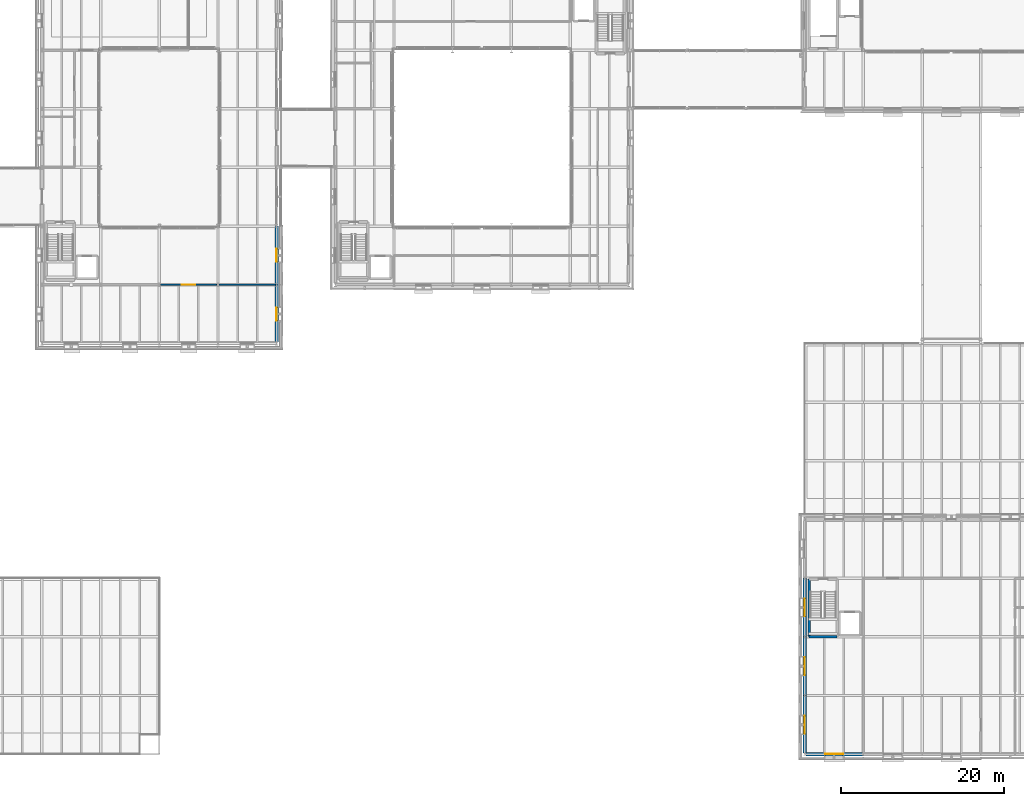
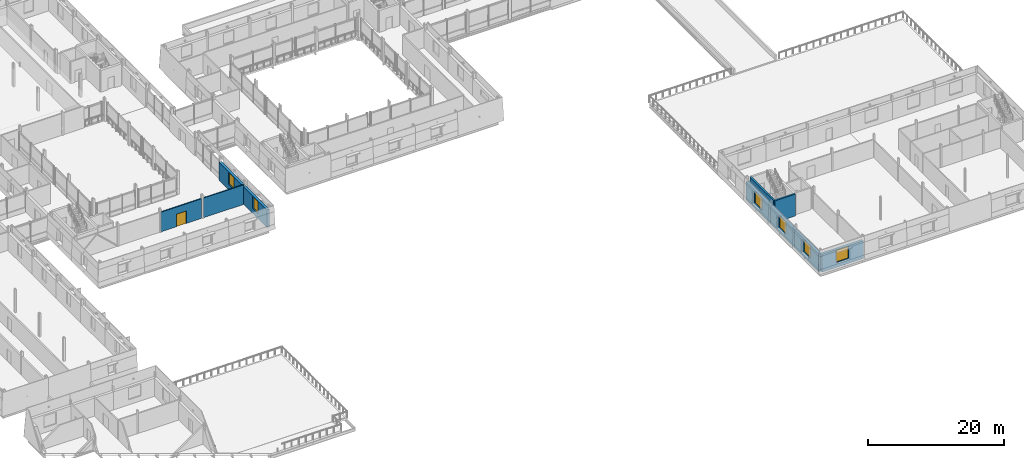
# One storey, part 68 of 115: 10 walls, 6 windows, 1 door, 7 openings.
"""IFC4 building model written with IfcOpenShell, lengths in metres."""

from ifc_helpers import new_model, si_unit, direction, frame, frame_2d, origin, place, context, subcontext, project, spatial, rectangle, extrude, material, layer, layer_set, type_object, element, fill, save


model = new_model("IFC4")

# Units and contexts
model_context = context("Model", 3, precision=1e-05, world=origin(), true_north=direction((0.0, 1.0)))
body_context = subcontext(model_context, "Body", "Model", "MODEL_VIEW")
ifc_project = project(units=[si_unit("LENGTHUNIT", "METRE"), si_unit("AREAUNIT", "SQUARE_METRE"), si_unit("VOLUMEUNIT", "CUBIC_METRE"), si_unit("PLANEANGLEUNIT", "RADIAN"), si_unit("MASSUNIT", "GRAM", prefix="KILO")], contexts=[model_context])

# Site, building, storey
site_placement = place(None, origin())
site = spatial("IfcSite", under=ifc_project, at=site_placement, CompositionType="ELEMENT")
building_placement = place(site_placement, origin())
building = spatial("IfcBuilding", under=site, at=building_placement, Name="Narikvali Park Central Library", CompositionType="ELEMENT")
storey_placement = place(building_placement, frame((0.0, 0.0, 10.199951171875)))
storey = spatial("IfcBuildingStorey", under=building, at=storey_placement, Name="L02", CompositionType="ELEMENT", Elevation=10.199951171875)

# Wall, opening, door
ifc_material_1 = material(Name="Acoustic Gypsum on Steel Studs", Category="steel")
ifc_layer_1 = layer(ifc_material_1, 0.179931640625, Name="Acoustic Gypsum on Steel Studs")
ifc_layer_set_1 = layer_set([ifc_layer_1], Name="Acoustic Gypsum on Steel Studs")
wall_type_1 = type_object("IfcWallType", Name="Reading Room Acoustic Partition 180", PredefinedType="PARTITIONING", material=ifc_layer_set_1)
wall_1_placement = place(storey_placement, frame((43.35400390625, 57.60009765625, 0.0), z_axis=(0.0, 0.0, 1.0), x_axis=(1.0, 0.0, 0.0)))
wall_1 = element("IfcWall", 1, at=wall_1_placement, inside=storey, type_object=wall_type_1, Name="Atrium Park-View Reading Room L02 Partition N", PredefinedType="PARTITIONING", context=body_context, shape_type="SweptSolid", body=[
    extrude(rectangle(XDim=6.89208984375, YDim=0.179931640625, at=frame_2d((3.446044921875, 0.0))), origin(), (0.0, 0.0, 1.0), 3.53515625),
])
opening_1_placement = place(wall_1_placement, frame((2.62109375, 0.0, 0.0)))
opening_1 = element("IfcOpeningElement", 2, at=opening_1_placement, cuts=wall_1, Name="Opening ID-0097", PredefinedType="OPENING", context=body_context, shape_type="SweptSolid", body=[
    extrude(rectangle(XDim=1.64990234375, YDim=2.25, at=frame_2d((0.824951171875, 1.125))), frame((0.0, 0.10205078125, 0.0), z_axis=(0.0, -1.0, 0.0), x_axis=(1.0, 0.0, 0.0)), (0.0, 0.0, 1.0), 0.203857421875),
])
ifc_material_2 = material(Name="Caucasian Oak and Tempered Glass", Category="glass")
door_type = type_object("IfcDoorType", Name="Open Stacks Double Glazed Door 1650x2250", OperationType="DOUBLE_DOOR_SINGLE_SWING", PredefinedType="DOOR", material=ifc_material_2)
door_placement = place(opening_1_placement, frame((1.64990234375, 0.0, 0.0), z_axis=(0.0, 0.0, 1.0), x_axis=(-1.0, 0.0, 0.0)))
door = element("IfcDoor", 3, at=door_placement, inside=storey, type_object=door_type, Name="Atrium Park-View Reading Room L02 Door ID-0097", OperationType="DOUBLE_DOOR_SINGLE_SWING", OverallHeight=2.25, OverallWidth=1.64990234375, PredefinedType="DOOR", context=body_context, shape_type="SweptSolid", body=[
    extrude(rectangle(XDim=1.64990234375, YDim=2.25, at=frame_2d((0.824951171875, 1.125))), frame((0.0, 0.02490234375, 0.0), z_axis=(0.0, -1.0, 0.0), x_axis=(1.0, 0.0, 0.0)), (0.0, 0.0, 1.0), 0.050048828125),
])
fill(opening_1, door)

# Walls
wall_2_placement = place(storey_placement, frame((50.553955078125, 57.60009765625, 0.0), z_axis=(0.0, 0.0, 1.0), x_axis=(1.0, 0.0, 0.0)))
element("IfcWall", 4, at=wall_2_placement, inside=storey, type_object=wall_type_1, Name="Atrium Park-View Reading Room L02 Partition N", PredefinedType="PARTITIONING", context=body_context, shape_type="SweptSolid", body=[
    extrude(rectangle(XDim=6.89208984375, YDim=0.179931640625, at=frame_2d((3.446044921875, 0.0))), origin(), (0.0, 0.0, 1.0), 3.53515625),
])
ifc_material_3 = material(Name="Concrete C40/50", Category="concrete")
ifc_layer_2 = layer(ifc_material_3, 0.300048828125, Name="Concrete C40/50")
ifc_layer_set_2 = layer_set([ifc_layer_2], Name="Concrete C40/50")
wall_type_2 = type_object("IfcWallType", Name="Reinforced Concrete Shear Wall 300", PredefinedType="SHEAR", material=ifc_layer_set_2)
wall_3_placement = place(storey_placement, frame((122.929931640625, 14.429931640625, 0.0), z_axis=(0.0, 0.0, 1.0), x_axis=(1.0, 0.0, 0.0)))
element("IfcWall", 5, at=wall_3_placement, inside=storey, type_object=wall_type_2, Name="C6A L02 Stair Core Shear Wall S", PredefinedType="SHEAR", context=body_context, shape_type="SweptSolid", body=[
    extrude(rectangle(XDim=3.440185546875, YDim=0.300048828125, at=frame_2d((1.72021484375, 0.0))), origin(), (0.0, 0.0, 1.0), 3.920166015625),
])
wall_4_placement = place(storey_placement, frame((122.929931640625, 21.469970703125, 0.0), z_axis=(0.0, 0.0, 1.0), x_axis=(0.0, -1.0, 0.0)))
element("IfcWall", 6, at=wall_4_placement, inside=storey, type_object=wall_type_2, Name="C6A L02 Stair Core Shear Wall W", PredefinedType="SHEAR", context=body_context, shape_type="SweptSolid", body=[
    extrude(rectangle(XDim=7.0400390625, YDim=0.300048828125, at=frame_2d((3.52001953125, 0.0))), origin(), (0.0, 0.0, 1.0), 3.920166015625),
])

# Wall, opening, window
ifc_material_4 = material(Name="White Honed Limestone over Concrete C35/45", Category="masonry")
ifc_layer_3 = layer(ifc_material_4, 0.43994140625, Name="White Honed Limestone over Concrete C35/45")
ifc_layer_set_3 = layer_set([ifc_layer_3], Name="White Honed Limestone over Concrete C35/45")
wall_type_3 = type_object("IfcWallType", Name="White Limestone Battered Tier2 Wall 440", PredefinedType="SOLIDWALL", material=ifc_layer_set_3)
wall_5_placement = place(storey_placement, frame((57.60009765625, 50.60400390625, 0.0), z_axis=(0.0, 0.0, 1.0), x_axis=(0.0, 1.0, 0.0)))
wall_5 = element("IfcWall", 7, at=wall_5_placement, inside=storey, type_object=wall_type_3, Name="V4 L02 E Exterior Limestone Wall B01", PredefinedType="SOLIDWALL", context=body_context, shape_type="SweptSolid", body=[
    extrude(rectangle(XDim=6.99609375, YDim=0.43994140625, at=frame_2d((3.498046875, 0.0))), origin(), (0.0, 0.0, 1.0), 3.199951171875),
])
opening_2_placement = place(wall_5_placement, frame((2.595947265625, 0.0, 0.919921875)))
opening_2 = element("IfcOpeningElement", 8, at=opening_2_placement, cuts=wall_5, Name="Opening WIN-0168", PredefinedType="OPENING", context=body_context, shape_type="SweptSolid", body=[
    extrude(rectangle(XDim=1.60009765625, YDim=2.199951171875, at=frame_2d((0.800048828125, 1.10009765625))), frame((0.0, 0.23193359375, 0.0), z_axis=(0.0, -1.0, 0.0), x_axis=(1.0, 0.0, 0.0)), (0.0, 0.0, 1.0), 0.4638671875),
])
ifc_material_5 = material(Name="Anodised Bronze Aluminium and Low-E Triple Glazing", Category="aluminium")
window_type_1 = type_object("IfcWindowType", Name="Atrium Reading Wing Classical Window 1600x2200", PartitioningType="DOUBLE_PANEL_VERTICAL", PredefinedType="WINDOW", material=ifc_material_5)
window_1_placement = place(opening_2_placement, origin())
window_1 = element("IfcWindow", 9, at=window_1_placement, inside=storey, type_object=window_type_1, Name="V4 L02 E Deep-Reveal Window WIN-0168", OverallHeight=2.199951171875, OverallWidth=1.60009765625, PartitioningType="SINGLE_PANEL", PredefinedType="WINDOW", context=body_context, shape_type="SweptSolid", body=[
    extrude(rectangle(XDim=1.60009765625, YDim=2.199951171875, at=frame_2d((0.800048828125, 1.10009765625))), frame((0.0, 0.030029296875, 0.0), z_axis=(0.0, -1.0, 0.0), x_axis=(1.0, 0.0, 0.0)), (0.0, 0.0, 1.0), 0.06005859375),
])
fill(opening_2, window_1)

wall_6_placement = place(storey_placement, frame((57.60009765625, 57.60009765625, 0.0), z_axis=(0.0, 0.0, 1.0), x_axis=(0.0, 1.0, 0.0)))
wall_6 = element("IfcWall", 10, at=wall_6_placement, inside=storey, type_object=wall_type_3, Name="V4 L02 E Exterior Limestone Wall B02", PredefinedType="SOLIDWALL", context=body_context, shape_type="SweptSolid", body=[
    extrude(rectangle(XDim=7.199951171875, YDim=0.43994140625, at=frame_2d((3.60009765625, 0.0))), origin(), (0.0, 0.0, 1.0), 3.199951171875),
])
opening_3_placement = place(wall_6_placement, frame((2.800048828125, 0.0, 0.919921875)))
opening_3 = element("IfcOpeningElement", 11, at=opening_3_placement, cuts=wall_6, Name="Opening WIN-0169", PredefinedType="OPENING", context=body_context, shape_type="SweptSolid", body=[
    extrude(rectangle(XDim=1.60009765625, YDim=2.199951171875, at=frame_2d((0.800048828125, 1.10009765625))), frame((0.0, 0.23193359375, 0.0), z_axis=(0.0, -1.0, 0.0), x_axis=(1.0, 0.0, 0.0)), (0.0, 0.0, 1.0), 0.4638671875),
])
window_2_placement = place(opening_3_placement, origin())
window_2 = element("IfcWindow", 12, at=window_2_placement, inside=storey, type_object=window_type_1, Name="V4 L02 E Deep-Reveal Window WIN-0169", OverallHeight=2.199951171875, OverallWidth=1.60009765625, PartitioningType="SINGLE_PANEL", PredefinedType="WINDOW", context=body_context, shape_type="SweptSolid", body=[
    extrude(rectangle(XDim=1.60009765625, YDim=2.199951171875, at=frame_2d((0.800048828125, 1.10009765625))), frame((0.0, 0.030029296875, 0.0), z_axis=(0.0, -1.0, 0.0), x_axis=(1.0, 0.0, 0.0)), (0.0, 0.0, 1.0), 0.06005859375),
])
fill(opening_3, window_2)

wall_7_placement = place(storey_placement, frame((122.52392578125, 0.0, 0.0), z_axis=(0.0, 0.0, 1.0), x_axis=(1.0, 0.0, 0.0)))
wall_7 = element("IfcWall", 13, at=wall_7_placement, inside=storey, type_object=wall_type_3, Name="V6 L02 S Exterior Limestone Wall B01", PredefinedType="SOLIDWALL", context=body_context, shape_type="SweptSolid", body=[
    extrude(rectangle(XDim=7.076171875, YDim=0.43994140625, at=frame_2d((3.5380859375, 0.0))), origin(), (0.0, 0.0, 1.0), 3.199951171875),
])
opening_4_placement = place(wall_7_placement, frame((2.3759765625, 0.0, 0.8701171875)))
opening_4 = element("IfcOpeningElement", 14, at=opening_4_placement, cuts=wall_7, Name="Opening WIN-0384", PredefinedType="OPENING", context=body_context, shape_type="SweptSolid", body=[
    extrude(rectangle(XDim=2.199951171875, YDim=2.25, at=frame_2d((1.10009765625, 1.125))), frame((0.0, 0.23193359375, 0.0), z_axis=(0.0, -1.0, 0.0), x_axis=(1.0, 0.0, 0.0)), (0.0, 0.0, 1.0), 0.4638671875),
])
window_type_2 = type_object("IfcWindowType", Name="Community & Fine Arts Studio Window 2200x2250", PartitioningType="TRIPLE_PANEL_VERTICAL", PredefinedType="WINDOW", material=ifc_material_5)
window_3_placement = place(opening_4_placement, origin())
window_3 = element("IfcWindow", 15, at=window_3_placement, inside=storey, type_object=window_type_2, Name="V6 L02 S Deep-Reveal Window WIN-0384", OverallHeight=2.25, OverallWidth=2.199951171875, PartitioningType="SINGLE_PANEL", PredefinedType="WINDOW", context=body_context, shape_type="SweptSolid", body=[
    extrude(rectangle(XDim=2.199951171875, YDim=2.25, at=frame_2d((1.10009765625, 1.125))), frame((0.0, 0.030029296875, 0.0), z_axis=(0.0, -1.0, 0.0), x_axis=(1.0, 0.0, 0.0)), (0.0, 0.0, 1.0), 0.06005859375),
])
fill(opening_4, window_3)

wall_8_placement = place(storey_placement, frame((122.39990234375, 21.60009765625, 0.0), z_axis=(0.0, 0.0, 1.0), x_axis=(0.0, -1.0, 0.0)))
wall_8 = element("IfcWall", 16, at=wall_8_placement, inside=storey, type_object=wall_type_3, Name="V6 L02 W Exterior Limestone Wall B02", PredefinedType="SOLIDWALL", context=body_context, shape_type="SweptSolid", body=[
    extrude(rectangle(XDim=7.2001953125, YDim=0.43994140625, at=frame_2d((3.60009765625, 0.0))), origin(), (0.0, 0.0, 1.0), 3.199951171875),
])
opening_5_placement = place(wall_8_placement, frame((2.5, 0.0, 0.8701171875)))
opening_5 = element("IfcOpeningElement", 17, at=opening_5_placement, cuts=wall_8, Name="Opening WIN-0397", PredefinedType="OPENING", context=body_context, shape_type="SweptSolid", body=[
    extrude(rectangle(XDim=2.199951171875, YDim=2.25, at=frame_2d((1.10009765625, 1.125))), frame((0.0, 0.23193359375, 0.0), z_axis=(0.0, -1.0, 0.0), x_axis=(1.0, 0.0, 0.0)), (0.0, 0.0, 1.0), 0.4638671875),
])
window_4_placement = place(opening_5_placement, origin())
window_4 = element("IfcWindow", 18, at=window_4_placement, inside=storey, type_object=window_type_2, Name="V6 L02 W Deep-Reveal Window WIN-0397", OverallHeight=2.25, OverallWidth=2.199951171875, PartitioningType="SINGLE_PANEL", PredefinedType="WINDOW", context=body_context, shape_type="SweptSolid", body=[
    extrude(rectangle(XDim=2.199951171875, YDim=2.25, at=frame_2d((1.10009765625, 1.125))), frame((0.0, 0.030029296875, 0.0), z_axis=(0.0, -1.0, 0.0), x_axis=(1.0, 0.0, 0.0)), (0.0, 0.0, 1.0), 0.06005859375),
])
fill(opening_5, window_4)

wall_9_placement = place(storey_placement, frame((122.39990234375, 14.39990234375, 0.0), z_axis=(0.0, 0.0, 1.0), x_axis=(0.0, -1.0, 0.0)))
wall_9 = element("IfcWall", 19, at=wall_9_placement, inside=storey, type_object=wall_type_3, Name="V6 L02 W Exterior Limestone Wall B03", PredefinedType="SOLIDWALL", context=body_context, shape_type="SweptSolid", body=[
    extrude(rectangle(XDim=7.199951171875, YDim=0.43994140625, at=frame_2d((3.60009765625, 0.0))), origin(), (0.0, 0.0, 1.0), 3.199951171875),
])
opening_6_placement = place(wall_9_placement, frame((2.5, 0.0, 0.8701171875)))
opening_6 = element("IfcOpeningElement", 20, at=opening_6_placement, cuts=wall_9, Name="Opening WIN-0398", PredefinedType="OPENING", context=body_context, shape_type="SweptSolid", body=[
    extrude(rectangle(XDim=2.199951171875, YDim=2.25, at=frame_2d((1.10009765625, 1.125))), frame((0.0, 0.23193359375, 0.0), z_axis=(0.0, -1.0, 0.0), x_axis=(1.0, 0.0, 0.0)), (0.0, 0.0, 1.0), 0.4638671875),
])
window_5_placement = place(opening_6_placement, origin())
window_5 = element("IfcWindow", 21, at=window_5_placement, inside=storey, type_object=window_type_2, Name="V6 L02 W Deep-Reveal Window WIN-0398", OverallHeight=2.25, OverallWidth=2.199951171875, PartitioningType="SINGLE_PANEL", PredefinedType="WINDOW", context=body_context, shape_type="SweptSolid", body=[
    extrude(rectangle(XDim=2.199951171875, YDim=2.25, at=frame_2d((1.10009765625, 1.125))), frame((0.0, 0.030029296875, 0.0), z_axis=(0.0, -1.0, 0.0), x_axis=(1.0, 0.0, 0.0)), (0.0, 0.0, 1.0), 0.06005859375),
])
fill(opening_6, window_5)

wall_10_placement = place(storey_placement, frame((122.39990234375, 7.199951171875, 0.0), z_axis=(0.0, 0.0, 1.0), x_axis=(0.0, -1.0, 0.0)))
wall_10 = element("IfcWall", 22, at=wall_10_placement, inside=storey, type_object=wall_type_3, Name="V6 L02 W Exterior Limestone Wall B04", PredefinedType="SOLIDWALL", context=body_context, shape_type="SweptSolid", body=[
    extrude(rectangle(XDim=7.075927734375, YDim=0.43994140625, at=frame_2d((3.5380859375, 0.0))), origin(), (0.0, 0.0, 1.0), 3.199951171875),
])
opening_7_placement = place(wall_10_placement, frame((2.5, 0.0, 0.8701171875)))
opening_7 = element("IfcOpeningElement", 23, at=opening_7_placement, cuts=wall_10, Name="Opening WIN-0399", PredefinedType="OPENING", context=body_context, shape_type="SweptSolid", body=[
    extrude(rectangle(XDim=2.199951171875, YDim=2.25, at=frame_2d((1.10009765625, 1.125))), frame((0.0, 0.23193359375, 0.0), z_axis=(0.0, -1.0, 0.0), x_axis=(1.0, 0.0, 0.0)), (0.0, 0.0, 1.0), 0.4638671875),
])
window_6_placement = place(opening_7_placement, origin())
window_6 = element("IfcWindow", 24, at=window_6_placement, inside=storey, type_object=window_type_2, Name="V6 L02 W Deep-Reveal Window WIN-0399", OverallHeight=2.25, OverallWidth=2.199951171875, PartitioningType="SINGLE_PANEL", PredefinedType="WINDOW", context=body_context, shape_type="SweptSolid", body=[
    extrude(rectangle(XDim=2.199951171875, YDim=2.25, at=frame_2d((1.10009765625, 1.125))), frame((0.0, 0.030029296875, 0.0), z_axis=(0.0, -1.0, 0.0), x_axis=(1.0, 0.0, 0.0)), (0.0, 0.0, 1.0), 0.06005859375),
])
fill(opening_7, window_6)

save(model, "model.ifc")
